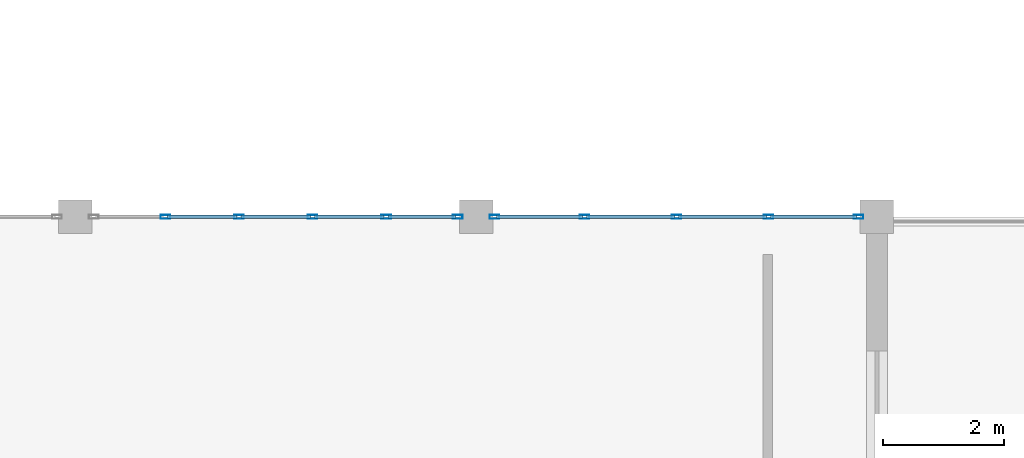
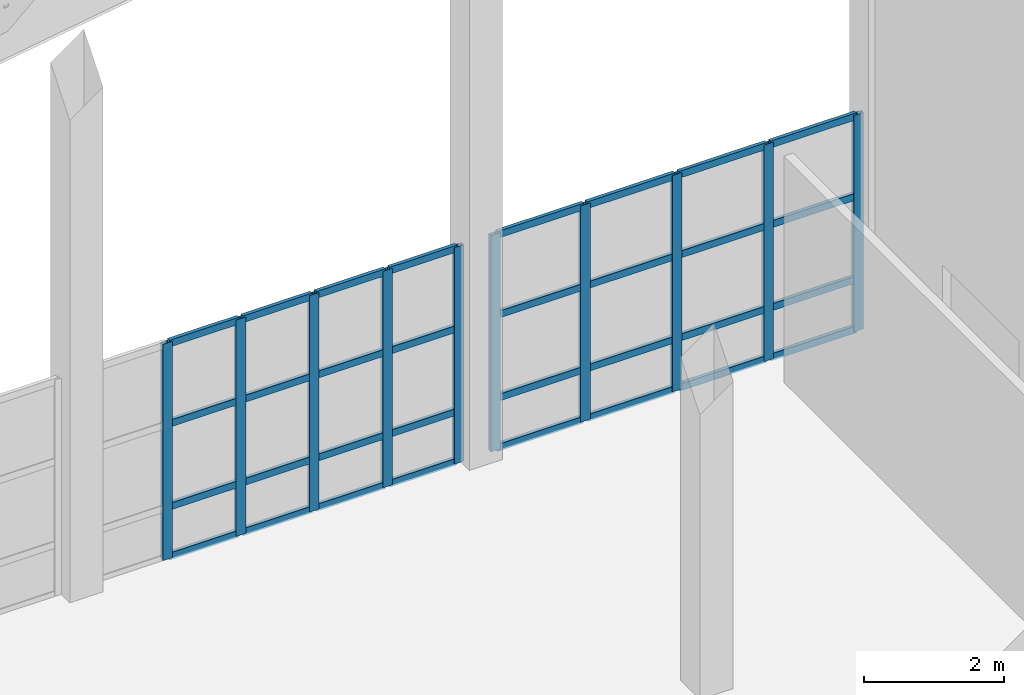
# One storey, part 3 of 39: 42 members, 2 elements without a shape of their own.
"""IFC4 building model written with IfcOpenShell, lengths in metres."""

from ifc_helpers import new_model, si_unit, direction, frame, origin, origin_2d, place, context, subcontext, project, spatial, hollow_rectangle, extrude, material, layer, layer_set, material_profile, profile_set, type_object, element, aggregate, save


model = new_model("IFC4")

# Units and contexts
model_context = context("Model", 3, precision=1e-05, world=origin(), true_north=direction((0.0, 1.0)))
body_context = subcontext(model_context, "Body", "Model", "MODEL_VIEW")
ifc_project = project(units=[si_unit("LENGTHUNIT", "METRE"), si_unit("AREAUNIT", "SQUARE_METRE"), si_unit("VOLUMEUNIT", "CUBIC_METRE"), si_unit("PLANEANGLEUNIT", "RADIAN"), si_unit("MASSUNIT", "GRAM", prefix="KILO")], contexts=[model_context])

# Site, building, storey
site_placement = place(None, origin())
site = spatial("IfcSite", under=ifc_project, at=site_placement, CompositionType="ELEMENT")
building_placement = place(site_placement, origin())
building = spatial("IfcBuilding", under=site, at=building_placement, Name="Kharisveld Research Institute", CompositionType="ELEMENT")
storey_placement = place(building_placement, frame((0.0, 0.0, 18.60009765625)))
storey = spatial("IfcBuildingStorey", under=building, at=storey_placement, Name="L04", CompositionType="ELEMENT", Elevation=18.60009765625)

# Curtain wall, members
ifc_material_1 = material(Name="Thermally Broken Aluminium Curtain Wall", Category="aluminium")
ifc_layer_1 = layer(ifc_material_1, 0.159912109375)
ifc_layer_set_1 = layer_set([ifc_layer_1], Name="CW_SYS_01")
curtain_wall_type_1 = type_object("IfcCurtainWallType", Name="CW_SYS_01", PredefinedType="NOTDEFINED", material=ifc_layer_set_1)
curtain_wall_1_placement = place(storey_placement, origin())
curtain_wall_1 = element("IfcCurtainWall", 1, at=curtain_wall_1_placement, inside=storey, type_object=curtain_wall_type_1, Name="CW:V3:L04:N3", PredefinedType="NOTDEFINED")
ifc_material_2 = material(Name="Anodised Aluminium AW-6063-T6", Category="aluminium")
ifc_material_profile_1 = material_profile(ifc_material_2, hollow_rectangle(XDim=0.06494140625, YDim=0.159912109375, WallThickness=0.00390625, at=origin_2d()))
ifc_profile_set_1 = profile_set([ifc_material_profile_1], Name="Anodised Aluminium AW-6063-T6")
member_type_1 = type_object("IfcMemberType", Name="CW_MUL_160", PredefinedType="MULLION", material=ifc_profile_set_1)
member_1_placement = place(storey_placement, frame((21.882080078125, 26.60009765625, 0.0), z_axis=(0.0, 0.0, 1.0), x_axis=(0.0, 1.0, 0.0)))
member_1 = element("IfcMember", 2, at=member_1_placement, type_object=member_type_1, Name="CW-01 mullion 2", PredefinedType="MULLION", context=body_context, shape_type="SweptSolid", body=[
    extrude(hollow_rectangle(XDim=0.06494140625, YDim=0.159912109375, WallThickness=0.00390625, at=origin_2d()), origin(), (0.0, 0.0, 1.0), 3.77978515625),
])
member_2_placement = place(storey_placement, frame((23.093994140625, 26.60009765625, 0.0), z_axis=(0.0, 0.0, 1.0), x_axis=(0.0, 1.0, 0.0)))
member_2 = element("IfcMember", 3, at=member_2_placement, type_object=member_type_1, Name="CW-01 mullion 3", PredefinedType="MULLION", context=body_context, shape_type="SweptSolid", body=[
    extrude(hollow_rectangle(XDim=0.06494140625, YDim=0.159912109375, WallThickness=0.00390625, at=origin_2d()), origin(), (0.0, 0.0, 1.0), 3.77978515625),
])
member_3_placement = place(storey_placement, frame((24.305908203125, 26.60009765625, 0.0), z_axis=(0.0, 0.0, 1.0), x_axis=(0.0, 1.0, 0.0)))
member_3 = element("IfcMember", 4, at=member_3_placement, type_object=member_type_1, Name="CW-01 mullion 4", PredefinedType="MULLION", context=body_context, shape_type="SweptSolid", body=[
    extrude(hollow_rectangle(XDim=0.06494140625, YDim=0.159912109375, WallThickness=0.00390625, at=origin_2d()), origin(), (0.0, 0.0, 1.0), 3.77978515625),
])
member_4_placement = place(storey_placement, frame((25.51806640625, 26.60009765625, 0.0), z_axis=(0.0, 0.0, 1.0), x_axis=(0.0, 1.0, 0.0)))
member_4 = element("IfcMember", 5, at=member_4_placement, type_object=member_type_1, Name="CW-01 mullion 5", PredefinedType="MULLION", context=body_context, shape_type="SweptSolid", body=[
    extrude(hollow_rectangle(XDim=0.06494140625, YDim=0.159912109375, WallThickness=0.00390625, at=origin_2d()), origin(), (0.0, 0.0, 1.0), 3.77978515625),
])
member_5_placement = place(storey_placement, frame((26.697509765625, 26.60009765625, 0.0), z_axis=(0.0, 0.0, 1.0), x_axis=(0.0, 1.0, 0.0)))
member_5 = element("IfcMember", 6, at=member_5_placement, type_object=member_type_1, Name="CW-01 mullion 6", PredefinedType="MULLION", context=body_context, shape_type="SweptSolid", body=[
    extrude(hollow_rectangle(XDim=0.06494140625, YDim=0.159912109375, WallThickness=0.00390625, at=origin_2d()), origin(), (0.0, 0.0, 1.0), 3.77978515625),
])

ifc_material_3 = material(Name="Thermally Broken Aluminium Curtain Wall", Category="aluminium")
ifc_layer_2 = layer(ifc_material_3, 0.159912109375)
ifc_layer_set_2 = layer_set([ifc_layer_2], Name="CW_SYS_02")
curtain_wall_type_2 = type_object("IfcCurtainWallType", Name="CW_SYS_02", PredefinedType="NOTDEFINED", material=ifc_layer_set_2)
curtain_wall_2_placement = place(storey_placement, origin())
curtain_wall_2 = element("IfcCurtainWall", 7, at=curtain_wall_2_placement, inside=storey, type_object=curtain_wall_type_2, Name="CW:V3:L04:N4", PredefinedType="NOTDEFINED")
member_6_placement = place(storey_placement, frame((27.302490234375, 26.60009765625, 0.0), z_axis=(0.0, 0.0, 1.0), x_axis=(0.0, 1.0, 0.0)))
member_6 = element("IfcMember", 8, at=member_6_placement, type_object=member_type_1, Name="CW-02 mullion 1", PredefinedType="MULLION", context=body_context, shape_type="SweptSolid", body=[
    extrude(hollow_rectangle(XDim=0.06494140625, YDim=0.159912109375, WallThickness=0.00390625, at=origin_2d()), origin(), (0.0, 0.0, 1.0), 3.77978515625),
])
member_7_placement = place(storey_placement, frame((28.784912109375, 26.60009765625, 0.0), z_axis=(0.0, 0.0, 1.0), x_axis=(0.0, 1.0, 0.0)))
member_7 = element("IfcMember", 9, at=member_7_placement, type_object=member_type_1, Name="CW-02 mullion 2", PredefinedType="MULLION", context=body_context, shape_type="SweptSolid", body=[
    extrude(hollow_rectangle(XDim=0.06494140625, YDim=0.159912109375, WallThickness=0.00390625, at=origin_2d()), origin(), (0.0, 0.0, 1.0), 3.77978515625),
])
member_8_placement = place(storey_placement, frame((30.300048828125, 26.60009765625, 0.0), z_axis=(0.0, 0.0, 1.0), x_axis=(0.0, 1.0, 0.0)))
member_8 = element("IfcMember", 10, at=member_8_placement, type_object=member_type_1, Name="CW-02 mullion 3", PredefinedType="MULLION", context=body_context, shape_type="SweptSolid", body=[
    extrude(hollow_rectangle(XDim=0.06494140625, YDim=0.159912109375, WallThickness=0.00390625, at=origin_2d()), origin(), (0.0, 0.0, 1.0), 3.77978515625),
])
member_9_placement = place(storey_placement, frame((31.81494140625, 26.60009765625, 0.0), z_axis=(0.0, 0.0, 1.0), x_axis=(0.0, 1.0, 0.0)))
member_9 = element("IfcMember", 11, at=member_9_placement, type_object=member_type_1, Name="CW-02 mullion 4", PredefinedType="MULLION", context=body_context, shape_type="SweptSolid", body=[
    extrude(hollow_rectangle(XDim=0.06494140625, YDim=0.159912109375, WallThickness=0.00390625, at=origin_2d()), origin(), (0.0, 0.0, 1.0), 3.77978515625),
])
member_10_placement = place(storey_placement, frame((33.297607421875, 26.60009765625, 0.0), z_axis=(0.0, 0.0, 1.0), x_axis=(0.0, 1.0, 0.0)))
member_10 = element("IfcMember", 12, at=member_10_placement, type_object=member_type_1, Name="CW-02 mullion 5", PredefinedType="MULLION", context=body_context, shape_type="SweptSolid", body=[
    extrude(hollow_rectangle(XDim=0.06494140625, YDim=0.159912109375, WallThickness=0.00390625, at=origin_2d()), origin(), (0.0, 0.0, 1.0), 3.77978515625),
])

# Member
ifc_material_4 = material(Name="Anodised Aluminium AW-6063-T6", Category="aluminium")
ifc_material_profile_2 = material_profile(ifc_material_4, hollow_rectangle(XDim=0.06005859375, YDim=0.1201171875, WallThickness=0.00390625, at=origin_2d()))
ifc_profile_set_2 = profile_set([ifc_material_profile_2], Name="Anodised Aluminium AW-6063-T6")
member_type_2 = type_object("IfcMemberType", Name="CW_TRN_120", PredefinedType="USERDEFINED", material=ifc_profile_set_2)
member_11_placement = place(storey_placement, frame((21.91455078125, 26.60009765625, 0.02978515625), z_axis=(1.0, 0.0, 0.0), x_axis=(0.0, 1.0, 0.0)))
member_11 = element("IfcMember", 13, at=member_11_placement, type_object=member_type_2, Name="CW-01 transom 2.1", ObjectType="TRANSOM", PredefinedType="USERDEFINED", context=body_context, shape_type="SweptSolid", body=[
    extrude(hollow_rectangle(XDim=0.06005859375, YDim=0.1201171875, WallThickness=0.00390625, at=origin_2d()), origin(), (0.0, 0.0, 1.0), 1.14697265625),
])

member_12_placement = place(storey_placement, frame((21.91455078125, 26.60009765625, 0.89990234375), z_axis=(1.0, 0.0, 0.0), x_axis=(0.0, 1.0, 0.0)))
member_12 = element("IfcMember", 14, at=member_12_placement, type_object=member_type_2, Name="CW-01 transom 2.2", ObjectType="TRANSOM", PredefinedType="USERDEFINED", context=body_context, shape_type="SweptSolid", body=[
    extrude(hollow_rectangle(XDim=0.06005859375, YDim=0.1201171875, WallThickness=0.00390625, at=origin_2d()), origin(), (0.0, 0.0, 1.0), 1.14697265625),
])

member_13_placement = place(storey_placement, frame((21.91455078125, 26.60009765625, 2.349853515625), z_axis=(1.0, 0.0, 0.0), x_axis=(0.0, 1.0, 0.0)))
member_13 = element("IfcMember", 15, at=member_13_placement, type_object=member_type_2, Name="CW-01 transom 2.3", ObjectType="TRANSOM", PredefinedType="USERDEFINED", context=body_context, shape_type="SweptSolid", body=[
    extrude(hollow_rectangle(XDim=0.06005859375, YDim=0.1201171875, WallThickness=0.00390625, at=origin_2d()), origin(), (0.0, 0.0, 1.0), 1.14697265625),
])

member_14_placement = place(storey_placement, frame((21.91455078125, 26.60009765625, 3.75), z_axis=(1.0, 0.0, 0.0), x_axis=(0.0, 1.0, 0.0)))
member_14 = element("IfcMember", 16, at=member_14_placement, type_object=member_type_2, Name="CW-01 transom 2.4", ObjectType="TRANSOM", PredefinedType="USERDEFINED", context=body_context, shape_type="SweptSolid", body=[
    extrude(hollow_rectangle(XDim=0.06005859375, YDim=0.1201171875, WallThickness=0.00390625, at=origin_2d()), origin(), (0.0, 0.0, 1.0), 1.14697265625),
])

member_15_placement = place(storey_placement, frame((23.12646484375, 26.60009765625, 0.02978515625), z_axis=(1.0, 0.0, 0.0), x_axis=(0.0, 1.0, 0.0)))
member_15 = element("IfcMember", 17, at=member_15_placement, type_object=member_type_2, Name="CW-01 transom 3.1", ObjectType="TRANSOM", PredefinedType="USERDEFINED", context=body_context, shape_type="SweptSolid", body=[
    extrude(hollow_rectangle(XDim=0.06005859375, YDim=0.1201171875, WallThickness=0.00390625, at=origin_2d()), origin(), (0.0, 0.0, 1.0), 1.14697265625),
])

member_16_placement = place(storey_placement, frame((23.12646484375, 26.60009765625, 0.89990234375), z_axis=(1.0, 0.0, 0.0), x_axis=(0.0, 1.0, 0.0)))
member_16 = element("IfcMember", 18, at=member_16_placement, type_object=member_type_2, Name="CW-01 transom 3.2", ObjectType="TRANSOM", PredefinedType="USERDEFINED", context=body_context, shape_type="SweptSolid", body=[
    extrude(hollow_rectangle(XDim=0.06005859375, YDim=0.1201171875, WallThickness=0.00390625, at=origin_2d()), origin(), (0.0, 0.0, 1.0), 1.14697265625),
])

member_17_placement = place(storey_placement, frame((23.12646484375, 26.60009765625, 2.349853515625), z_axis=(1.0, 0.0, 0.0), x_axis=(0.0, 1.0, 0.0)))
member_17 = element("IfcMember", 19, at=member_17_placement, type_object=member_type_2, Name="CW-01 transom 3.3", ObjectType="TRANSOM", PredefinedType="USERDEFINED", context=body_context, shape_type="SweptSolid", body=[
    extrude(hollow_rectangle(XDim=0.06005859375, YDim=0.1201171875, WallThickness=0.00390625, at=origin_2d()), origin(), (0.0, 0.0, 1.0), 1.14697265625),
])

member_18_placement = place(storey_placement, frame((23.12646484375, 26.60009765625, 3.75), z_axis=(1.0, 0.0, 0.0), x_axis=(0.0, 1.0, 0.0)))
member_18 = element("IfcMember", 20, at=member_18_placement, type_object=member_type_2, Name="CW-01 transom 3.4", ObjectType="TRANSOM", PredefinedType="USERDEFINED", context=body_context, shape_type="SweptSolid", body=[
    extrude(hollow_rectangle(XDim=0.06005859375, YDim=0.1201171875, WallThickness=0.00390625, at=origin_2d()), origin(), (0.0, 0.0, 1.0), 1.14697265625),
])

member_19_placement = place(storey_placement, frame((24.33837890625, 26.60009765625, 0.02978515625), z_axis=(1.0, 0.0, 0.0), x_axis=(0.0, 1.0, 0.0)))
member_19 = element("IfcMember", 21, at=member_19_placement, type_object=member_type_2, Name="CW-01 transom 4.1", ObjectType="TRANSOM", PredefinedType="USERDEFINED", context=body_context, shape_type="SweptSolid", body=[
    extrude(hollow_rectangle(XDim=0.06005859375, YDim=0.1201171875, WallThickness=0.00390625, at=origin_2d()), origin(), (0.0, 0.0, 1.0), 1.147216796875),
])

member_20_placement = place(storey_placement, frame((24.33837890625, 26.60009765625, 0.89990234375), z_axis=(1.0, 0.0, 0.0), x_axis=(0.0, 1.0, 0.0)))
member_20 = element("IfcMember", 22, at=member_20_placement, type_object=member_type_2, Name="CW-01 transom 4.2", ObjectType="TRANSOM", PredefinedType="USERDEFINED", context=body_context, shape_type="SweptSolid", body=[
    extrude(hollow_rectangle(XDim=0.06005859375, YDim=0.1201171875, WallThickness=0.00390625, at=origin_2d()), origin(), (0.0, 0.0, 1.0), 1.147216796875),
])

member_21_placement = place(storey_placement, frame((24.33837890625, 26.60009765625, 2.349853515625), z_axis=(1.0, 0.0, 0.0), x_axis=(0.0, 1.0, 0.0)))
member_21 = element("IfcMember", 23, at=member_21_placement, type_object=member_type_2, Name="CW-01 transom 4.3", ObjectType="TRANSOM", PredefinedType="USERDEFINED", context=body_context, shape_type="SweptSolid", body=[
    extrude(hollow_rectangle(XDim=0.06005859375, YDim=0.1201171875, WallThickness=0.00390625, at=origin_2d()), origin(), (0.0, 0.0, 1.0), 1.147216796875),
])

member_22_placement = place(storey_placement, frame((24.33837890625, 26.60009765625, 3.75), z_axis=(1.0, 0.0, 0.0), x_axis=(0.0, 1.0, 0.0)))
member_22 = element("IfcMember", 24, at=member_22_placement, type_object=member_type_2, Name="CW-01 transom 4.4", ObjectType="TRANSOM", PredefinedType="USERDEFINED", context=body_context, shape_type="SweptSolid", body=[
    extrude(hollow_rectangle(XDim=0.06005859375, YDim=0.1201171875, WallThickness=0.00390625, at=origin_2d()), origin(), (0.0, 0.0, 1.0), 1.147216796875),
])

member_23_placement = place(storey_placement, frame((25.550537109375, 26.60009765625, 0.02978515625), z_axis=(1.0, 0.0, 0.0), x_axis=(0.0, 1.0, 0.0)))
member_23 = element("IfcMember", 25, at=member_23_placement, type_object=member_type_2, Name="CW-01 transom 5.1", ObjectType="TRANSOM", PredefinedType="USERDEFINED", context=body_context, shape_type="SweptSolid", body=[
    extrude(hollow_rectangle(XDim=0.06005859375, YDim=0.1201171875, WallThickness=0.00390625, at=origin_2d()), origin(), (0.0, 0.0, 1.0), 1.114501953125),
])

member_24_placement = place(storey_placement, frame((25.550537109375, 26.60009765625, 0.89990234375), z_axis=(1.0, 0.0, 0.0), x_axis=(0.0, 1.0, 0.0)))
member_24 = element("IfcMember", 26, at=member_24_placement, type_object=member_type_2, Name="CW-01 transom 5.2", ObjectType="TRANSOM", PredefinedType="USERDEFINED", context=body_context, shape_type="SweptSolid", body=[
    extrude(hollow_rectangle(XDim=0.06005859375, YDim=0.1201171875, WallThickness=0.00390625, at=origin_2d()), origin(), (0.0, 0.0, 1.0), 1.114501953125),
])

member_25_placement = place(storey_placement, frame((25.550537109375, 26.60009765625, 2.349853515625), z_axis=(1.0, 0.0, 0.0), x_axis=(0.0, 1.0, 0.0)))
member_25 = element("IfcMember", 27, at=member_25_placement, type_object=member_type_2, Name="CW-01 transom 5.3", ObjectType="TRANSOM", PredefinedType="USERDEFINED", context=body_context, shape_type="SweptSolid", body=[
    extrude(hollow_rectangle(XDim=0.06005859375, YDim=0.1201171875, WallThickness=0.00390625, at=origin_2d()), origin(), (0.0, 0.0, 1.0), 1.114501953125),
])

member_26_placement = place(storey_placement, frame((25.550537109375, 26.60009765625, 3.75), z_axis=(1.0, 0.0, 0.0), x_axis=(0.0, 1.0, 0.0)))
member_26 = element("IfcMember", 28, at=member_26_placement, type_object=member_type_2, Name="CW-01 transom 5.4", ObjectType="TRANSOM", PredefinedType="USERDEFINED", context=body_context, shape_type="SweptSolid", body=[
    extrude(hollow_rectangle(XDim=0.06005859375, YDim=0.1201171875, WallThickness=0.00390625, at=origin_2d()), origin(), (0.0, 0.0, 1.0), 1.114501953125),
])

aggregate(curtain_wall_1, [member_1, member_2, member_3, member_4, member_5, member_11, member_12, member_13, member_14, member_15, member_16, member_17, member_18, member_19, member_20, member_21, member_22, member_23, member_24, member_25, member_26])

member_27_placement = place(storey_placement, frame((27.3349609375, 26.60009765625, 0.02978515625), z_axis=(1.0, 0.0, 0.0), x_axis=(0.0, 1.0, 0.0)))
member_27 = element("IfcMember", 29, at=member_27_placement, type_object=member_type_2, Name="CW-02 transom 1.1", ObjectType="TRANSOM", PredefinedType="USERDEFINED", context=body_context, shape_type="SweptSolid", body=[
    extrude(hollow_rectangle(XDim=0.06005859375, YDim=0.1201171875, WallThickness=0.00390625, at=origin_2d()), origin(), (0.0, 0.0, 1.0), 1.41748046875),
])

member_28_placement = place(storey_placement, frame((27.3349609375, 26.60009765625, 0.89990234375), z_axis=(1.0, 0.0, 0.0), x_axis=(0.0, 1.0, 0.0)))
member_28 = element("IfcMember", 30, at=member_28_placement, type_object=member_type_2, Name="CW-02 transom 1.2", ObjectType="TRANSOM", PredefinedType="USERDEFINED", context=body_context, shape_type="SweptSolid", body=[
    extrude(hollow_rectangle(XDim=0.06005859375, YDim=0.1201171875, WallThickness=0.00390625, at=origin_2d()), origin(), (0.0, 0.0, 1.0), 1.41748046875),
])

member_29_placement = place(storey_placement, frame((27.3349609375, 26.60009765625, 2.349853515625), z_axis=(1.0, 0.0, 0.0), x_axis=(0.0, 1.0, 0.0)))
member_29 = element("IfcMember", 31, at=member_29_placement, type_object=member_type_2, Name="CW-02 transom 1.3", ObjectType="TRANSOM", PredefinedType="USERDEFINED", context=body_context, shape_type="SweptSolid", body=[
    extrude(hollow_rectangle(XDim=0.06005859375, YDim=0.1201171875, WallThickness=0.00390625, at=origin_2d()), origin(), (0.0, 0.0, 1.0), 1.41748046875),
])

member_30_placement = place(storey_placement, frame((27.3349609375, 26.60009765625, 3.75), z_axis=(1.0, 0.0, 0.0), x_axis=(0.0, 1.0, 0.0)))
member_30 = element("IfcMember", 32, at=member_30_placement, type_object=member_type_2, Name="CW-02 transom 1.4", ObjectType="TRANSOM", PredefinedType="USERDEFINED", context=body_context, shape_type="SweptSolid", body=[
    extrude(hollow_rectangle(XDim=0.06005859375, YDim=0.1201171875, WallThickness=0.00390625, at=origin_2d()), origin(), (0.0, 0.0, 1.0), 1.41748046875),
])

member_31_placement = place(storey_placement, frame((28.8173828125, 26.60009765625, 0.02978515625), z_axis=(1.0, 0.0, 0.0), x_axis=(0.0, 1.0, 0.0)))
member_31 = element("IfcMember", 33, at=member_31_placement, type_object=member_type_2, Name="CW-02 transom 2.1", ObjectType="TRANSOM", PredefinedType="USERDEFINED", context=body_context, shape_type="SweptSolid", body=[
    extrude(hollow_rectangle(XDim=0.06005859375, YDim=0.1201171875, WallThickness=0.00390625, at=origin_2d()), origin(), (0.0, 0.0, 1.0), 1.4501953125),
])

member_32_placement = place(storey_placement, frame((28.8173828125, 26.60009765625, 0.89990234375), z_axis=(1.0, 0.0, 0.0), x_axis=(0.0, 1.0, 0.0)))
member_32 = element("IfcMember", 34, at=member_32_placement, type_object=member_type_2, Name="CW-02 transom 2.2", ObjectType="TRANSOM", PredefinedType="USERDEFINED", context=body_context, shape_type="SweptSolid", body=[
    extrude(hollow_rectangle(XDim=0.06005859375, YDim=0.1201171875, WallThickness=0.00390625, at=origin_2d()), origin(), (0.0, 0.0, 1.0), 1.4501953125),
])

member_33_placement = place(storey_placement, frame((28.8173828125, 26.60009765625, 2.349853515625), z_axis=(1.0, 0.0, 0.0), x_axis=(0.0, 1.0, 0.0)))
member_33 = element("IfcMember", 35, at=member_33_placement, type_object=member_type_2, Name="CW-02 transom 2.3", ObjectType="TRANSOM", PredefinedType="USERDEFINED", context=body_context, shape_type="SweptSolid", body=[
    extrude(hollow_rectangle(XDim=0.06005859375, YDim=0.1201171875, WallThickness=0.00390625, at=origin_2d()), origin(), (0.0, 0.0, 1.0), 1.4501953125),
])

member_34_placement = place(storey_placement, frame((28.8173828125, 26.60009765625, 3.75), z_axis=(1.0, 0.0, 0.0), x_axis=(0.0, 1.0, 0.0)))
member_34 = element("IfcMember", 36, at=member_34_placement, type_object=member_type_2, Name="CW-02 transom 2.4", ObjectType="TRANSOM", PredefinedType="USERDEFINED", context=body_context, shape_type="SweptSolid", body=[
    extrude(hollow_rectangle(XDim=0.06005859375, YDim=0.1201171875, WallThickness=0.00390625, at=origin_2d()), origin(), (0.0, 0.0, 1.0), 1.4501953125),
])

member_35_placement = place(storey_placement, frame((30.33251953125, 26.60009765625, 0.02978515625), z_axis=(1.0, 0.0, 0.0), x_axis=(0.0, 1.0, 0.0)))
member_35 = element("IfcMember", 37, at=member_35_placement, type_object=member_type_2, Name="CW-02 transom 3.1", ObjectType="TRANSOM", PredefinedType="USERDEFINED", context=body_context, shape_type="SweptSolid", body=[
    extrude(hollow_rectangle(XDim=0.06005859375, YDim=0.1201171875, WallThickness=0.00390625, at=origin_2d()), origin(), (0.0, 0.0, 1.0), 1.449951171875),
])

member_36_placement = place(storey_placement, frame((30.33251953125, 26.60009765625, 0.89990234375), z_axis=(1.0, 0.0, 0.0), x_axis=(0.0, 1.0, 0.0)))
member_36 = element("IfcMember", 38, at=member_36_placement, type_object=member_type_2, Name="CW-02 transom 3.2", ObjectType="TRANSOM", PredefinedType="USERDEFINED", context=body_context, shape_type="SweptSolid", body=[
    extrude(hollow_rectangle(XDim=0.06005859375, YDim=0.1201171875, WallThickness=0.00390625, at=origin_2d()), origin(), (0.0, 0.0, 1.0), 1.449951171875),
])

member_37_placement = place(storey_placement, frame((30.33251953125, 26.60009765625, 2.349853515625), z_axis=(1.0, 0.0, 0.0), x_axis=(0.0, 1.0, 0.0)))
member_37 = element("IfcMember", 39, at=member_37_placement, type_object=member_type_2, Name="CW-02 transom 3.3", ObjectType="TRANSOM", PredefinedType="USERDEFINED", context=body_context, shape_type="SweptSolid", body=[
    extrude(hollow_rectangle(XDim=0.06005859375, YDim=0.1201171875, WallThickness=0.00390625, at=origin_2d()), origin(), (0.0, 0.0, 1.0), 1.449951171875),
])

member_38_placement = place(storey_placement, frame((30.33251953125, 26.60009765625, 3.75), z_axis=(1.0, 0.0, 0.0), x_axis=(0.0, 1.0, 0.0)))
member_38 = element("IfcMember", 40, at=member_38_placement, type_object=member_type_2, Name="CW-02 transom 3.4", ObjectType="TRANSOM", PredefinedType="USERDEFINED", context=body_context, shape_type="SweptSolid", body=[
    extrude(hollow_rectangle(XDim=0.06005859375, YDim=0.1201171875, WallThickness=0.00390625, at=origin_2d()), origin(), (0.0, 0.0, 1.0), 1.449951171875),
])

member_39_placement = place(storey_placement, frame((31.847412109375, 26.60009765625, 0.02978515625), z_axis=(1.0, 0.0, 0.0), x_axis=(0.0, 1.0, 0.0)))
member_39 = element("IfcMember", 41, at=member_39_placement, type_object=member_type_2, Name="CW-02 transom 4.1", ObjectType="TRANSOM", PredefinedType="USERDEFINED", context=body_context, shape_type="SweptSolid", body=[
    extrude(hollow_rectangle(XDim=0.06005859375, YDim=0.1201171875, WallThickness=0.00390625, at=origin_2d()), origin(), (0.0, 0.0, 1.0), 1.41748046875),
])

member_40_placement = place(storey_placement, frame((31.847412109375, 26.60009765625, 0.89990234375), z_axis=(1.0, 0.0, 0.0), x_axis=(0.0, 1.0, 0.0)))
member_40 = element("IfcMember", 42, at=member_40_placement, type_object=member_type_2, Name="CW-02 transom 4.2", ObjectType="TRANSOM", PredefinedType="USERDEFINED", context=body_context, shape_type="SweptSolid", body=[
    extrude(hollow_rectangle(XDim=0.06005859375, YDim=0.1201171875, WallThickness=0.00390625, at=origin_2d()), origin(), (0.0, 0.0, 1.0), 1.41748046875),
])

member_41_placement = place(storey_placement, frame((31.847412109375, 26.60009765625, 2.349853515625), z_axis=(1.0, 0.0, 0.0), x_axis=(0.0, 1.0, 0.0)))
member_41 = element("IfcMember", 43, at=member_41_placement, type_object=member_type_2, Name="CW-02 transom 4.3", ObjectType="TRANSOM", PredefinedType="USERDEFINED", context=body_context, shape_type="SweptSolid", body=[
    extrude(hollow_rectangle(XDim=0.06005859375, YDim=0.1201171875, WallThickness=0.00390625, at=origin_2d()), origin(), (0.0, 0.0, 1.0), 1.41748046875),
])

member_42_placement = place(storey_placement, frame((31.847412109375, 26.60009765625, 3.75), z_axis=(1.0, 0.0, 0.0), x_axis=(0.0, 1.0, 0.0)))
member_42 = element("IfcMember", 44, at=member_42_placement, type_object=member_type_2, Name="CW-02 transom 4.4", ObjectType="TRANSOM", PredefinedType="USERDEFINED", context=body_context, shape_type="SweptSolid", body=[
    extrude(hollow_rectangle(XDim=0.06005859375, YDim=0.1201171875, WallThickness=0.00390625, at=origin_2d()), origin(), (0.0, 0.0, 1.0), 1.41748046875),
])

aggregate(curtain_wall_2, [member_6, member_7, member_8, member_9, member_10, member_27, member_28, member_29, member_30, member_31, member_32, member_33, member_34, member_35, member_36, member_37, member_38, member_39, member_40, member_41, member_42])

save(model, "model.ifc")
